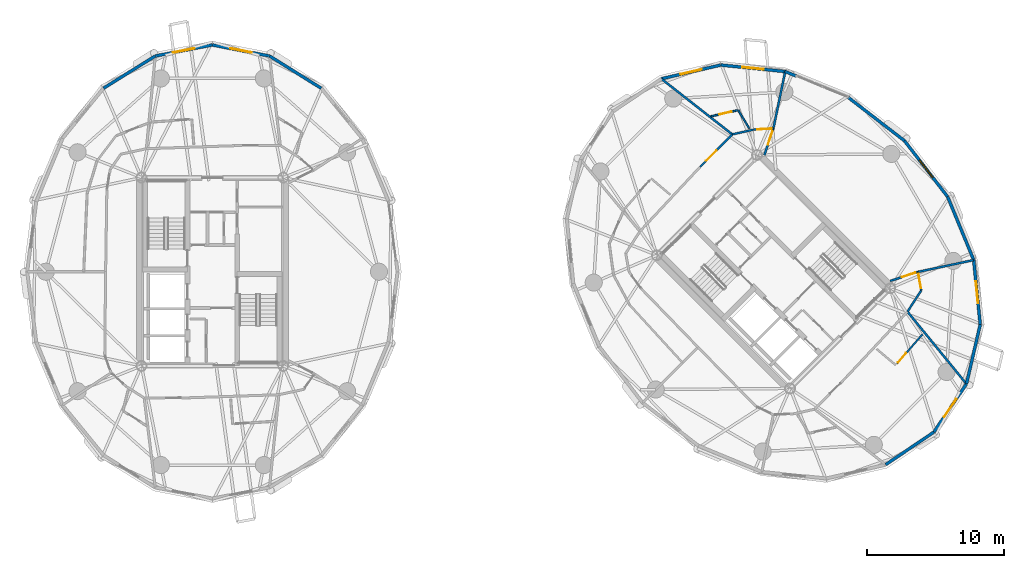
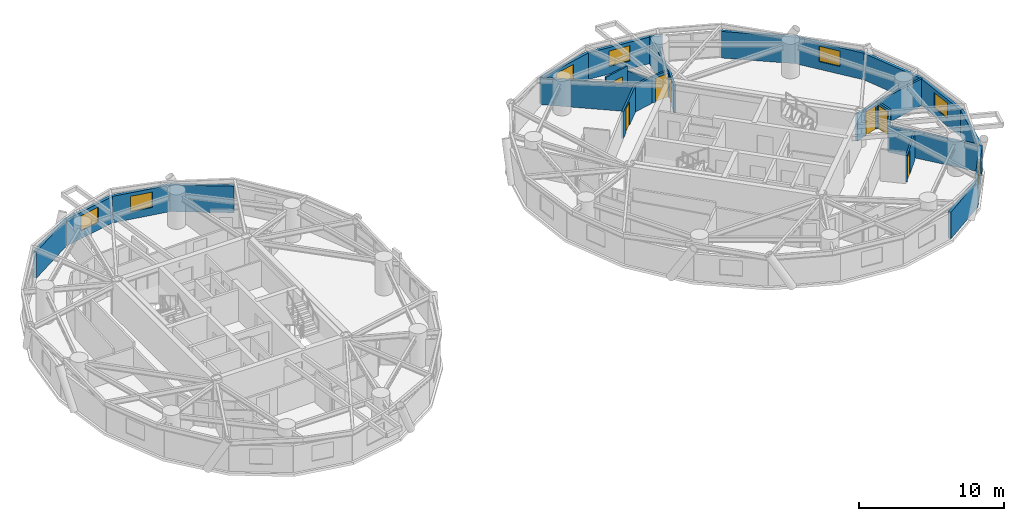
# One storey, part 14 of 17: 28 walls, 7 doors, 7 windows, 14 openings.
"""IFC4 building model written with IfcOpenShell, lengths in metres."""

from ifc_helpers import new_model, si_unit, direction, frame, frame_2d, origin, place, context, subcontext, project, spatial, rectangle, extrude, source, transform, mapped, material, layer, layer_set, type_object, element, fill, save


model = new_model("IFC4")

# Units and contexts
model_context = context("Model", 3, precision=1e-05, world=origin(), true_north=direction((0.0, 1.0)))
body_context = subcontext(model_context, "Body", "Model", "MODEL_VIEW")
ifc_project = project(units=[si_unit("LENGTHUNIT", "METRE"), si_unit("AREAUNIT", "SQUARE_METRE"), si_unit("VOLUMEUNIT", "CUBIC_METRE"), si_unit("PLANEANGLEUNIT", "RADIAN"), si_unit("MASSUNIT", "GRAM", prefix="KILO")], contexts=[model_context])

# Site, building, storey
site_placement = place(None, origin())
site = spatial("IfcSite", under=ifc_project, at=site_placement, CompositionType="ELEMENT")
building_placement = place(site_placement, origin())
building = spatial("IfcBuilding", under=site, at=building_placement, Name="Cununo Teusaquillo Station Towers", CompositionType="ELEMENT")
storey_placement = place(building_placement, frame((0.0, 0.0, 183.610107421875)))
storey = spatial("IfcBuildingStorey", under=building, at=storey_placement, Name="L58", CompositionType="ELEMENT", Elevation=183.610107421875)

# Wall
ifc_material_1 = material(Name="Precast concrete C40/50", Category="concrete")
ifc_layer_1 = layer(ifc_material_1, 0.219970703125)
ifc_layer_set_1 = layer_set([ifc_layer_1], Name="Precast concrete C40/50")
wall_type_1 = type_object("IfcWallType", Name="WL-EXT-220", PredefinedType="SOLIDWALL", material=ifc_layer_set_1)
wall_1_placement = place(storey_placement, frame((20.681396484375, 40.259033203125, 0.0), z_axis=(0.0, 0.0, 1.0), x_axis=(0.848399108042, -0.529357113368, 0.0)))
element("IfcWall", 1, at=wall_1_placement, inside=storey, type_object=wall_type_1, Name="L58 Tower A Exterior Facade Wall C03", PredefinedType="SOLIDWALL", context=body_context, shape_type="SweptSolid", body=[
    extrude(rectangle(XDim=4.446044921875, YDim=0.219970703125, at=frame_2d((2.22314453125, 0.0))), origin(), (0.0, 0.0, 1.0), 2.244873046875),
])

# Wall, opening, window
wall_2_placement = place(storey_placement, frame((16.5, 41.070068359375, 0.0), z_axis=(0.0, 0.0, 1.0), x_axis=(0.981703883443, -0.190413983815, 0.0)))
wall_2 = element("IfcWall", 2, at=wall_2_placement, inside=storey, type_object=wall_type_1, Name="L58 Tower A Exterior Facade Wall C04", PredefinedType="SOLIDWALL", context=body_context, shape_type="SweptSolid", body=[
    extrude(rectangle(XDim=4.25927734375, YDim=0.219970703125, at=frame_2d((2.129638671875, 0.0))), origin(), (0.0, 0.0, 1.0), 2.244873046875),
])
shared_shape_1 = source(origin(), body_context, "Body", "SweptSolid", [
    extrude(rectangle(XDim=1.60009765625, YDim=1.300048828125, at=frame_2d((0.800048828125, 0.64990234375))), frame((0.0, 0.119873046875, 0.0), z_axis=(0.0, -1.0, 0.0), x_axis=(1.0, 0.0, 0.0)), (0.0, 0.0, 1.0), 0.239990234375),
])
opening_1_placement = place(wall_2_placement, frame((1.330078125, 0.0, 0.64990234375)))
opening_1 = element("IfcOpeningElement", 3, at=opening_1_placement, cuts=wall_2, Name="Opening WN-03", PredefinedType="OPENING", context=body_context, shape_type="MappedRepresentation", body=[
    mapped(shared_shape_1, transform((0.0, 0.0, 0.0), x_axis=(1.0, 0.0, 0.0), y_axis=(0.0, 1.0, 0.0), z_axis=(0.0, 0.0, 1.0), scale=1.0)),
])
ifc_material_2 = material(Name="Ceramic-fritted dark low-E double glazing", Category="glass")
window_type = type_object("IfcWindowType", Name="WIN-CORN-1600", PartitioningType="SINGLE_PANEL", PredefinedType="WINDOW", material=ifc_material_2)
shared_shape_2 = source(origin(), body_context, "Body", "SweptSolid", [
    extrude(rectangle(XDim=1.60009765625, YDim=1.300048828125, at=frame_2d((0.800048828125, 0.64990234375))), frame((0.0, 0.030029296875, 0.0), z_axis=(0.0, -1.0, 0.0), x_axis=(1.0, 0.0, 0.0)), (0.0, 0.0, 1.0), 0.06005859375),
])
window_1_placement = place(opening_1_placement, origin())
window_1 = element("IfcWindow", 4, at=window_1_placement, inside=storey, type_object=window_type, Name="L58 Tower A Facade Window C04", OverallHeight=1.300048828125, OverallWidth=1.60009765625, PartitioningType="SINGLE_PANEL", PredefinedType="WINDOW", context=body_context, shape_type="MappedRepresentation", body=[
    mapped(shared_shape_2, transform((0.0, 0.0, 0.0), x_axis=(1.0, 0.0, 0.0), y_axis=(0.0, 1.0, 0.0), z_axis=(0.0, 0.0, 1.0), scale=1.0)),
])
fill(opening_1, window_1)

wall_3_placement = place(storey_placement, frame((12.318603515625, 40.259033203125, 0.0), z_axis=(0.0, 0.0, 1.0), x_axis=(0.981703883443, 0.190413983815, 0.0)))
wall_3 = element("IfcWall", 5, at=wall_3_placement, inside=storey, type_object=wall_type_1, Name="L58 Tower A Exterior Facade Wall C05", PredefinedType="SOLIDWALL", context=body_context, shape_type="SweptSolid", body=[
    extrude(rectangle(XDim=4.25927734375, YDim=0.219970703125, at=frame_2d((2.129638671875, 0.0))), origin(), (0.0, 0.0, 1.0), 2.244873046875),
])
opening_2_placement = place(wall_3_placement, frame((1.330078125, 0.0, 0.64990234375)))
opening_2 = element("IfcOpeningElement", 6, at=opening_2_placement, cuts=wall_3, Name="Opening WN-03", PredefinedType="OPENING", context=body_context, shape_type="MappedRepresentation", body=[
    mapped(shared_shape_1, transform((0.0, 0.0, 0.0), x_axis=(1.0, 0.0, 0.0), y_axis=(0.0, 1.0, 0.0), z_axis=(0.0, 0.0, 1.0), scale=1.0)),
])
window_2_placement = place(opening_2_placement, origin())
window_2 = element("IfcWindow", 7, at=window_2_placement, inside=storey, type_object=window_type, Name="L58 Tower A Facade Window C05", OverallHeight=1.300048828125, OverallWidth=1.60009765625, PartitioningType="SINGLE_PANEL", PredefinedType="WINDOW", context=body_context, shape_type="MappedRepresentation", body=[
    mapped(shared_shape_2, transform((0.0, 0.0, 0.0), x_axis=(1.0, 0.0, 0.0), y_axis=(0.0, 1.0, 0.0), z_axis=(0.0, 0.0, 1.0), scale=1.0)),
])
fill(opening_2, window_2)

# Walls
wall_4_placement = place(storey_placement, frame((8.546630859375, 37.905517578125, 0.0), z_axis=(0.0, 0.0, 1.0), x_axis=(0.848399108042, 0.529357113368, 0.0)))
element("IfcWall", 8, at=wall_4_placement, inside=storey, type_object=wall_type_1, Name="L58 Tower A Exterior Facade Wall C06", PredefinedType="SOLIDWALL", context=body_context, shape_type="SweptSolid", body=[
    extrude(rectangle(XDim=4.446044921875, YDim=0.219970703125, at=frame_2d((2.22314453125, 0.0))), origin(), (0.0, 0.0, 1.0), 2.244873046875),
])
wall_5_placement = place(storey_placement, frame((62.97900390625, 37.22021484375, 0.0), z_axis=(0.0, 0.0, 1.0), x_axis=(0.791962560189, -0.610569654715, 0.0)))
element("IfcWall", 9, at=wall_5_placement, inside=storey, type_object=wall_type_1, Name="L58 Tower B Exterior Facade Wall C00", PredefinedType="SOLIDWALL", context=body_context, shape_type="SweptSolid", body=[
    extrude(rectangle(XDim=5.162841796875, YDim=0.219970703125, at=frame_2d((2.58154296875, 0.0))), origin(), (0.0, 0.0, 1.0), 2.244873046875),
])
wall_6_placement = place(storey_placement, frame((58.353515625, 39.12744140625, 0.0), z_axis=(0.0, 0.0, 1.0), x_axis=(0.924556017656, -0.381046152345, 0.0)))
element("IfcWall", 10, at=wall_6_placement, inside=storey, type_object=wall_type_1, Name="L58 Tower B Column Pier Cladding Wall C01-PA", PredefinedType="SOLIDWALL", context=body_context, shape_type="SweptSolid", body=[
    extrude(rectangle(XDim=0.8701171875, YDim=0.219970703125, at=frame_2d((0.43505859375, 0.0))), origin(), (0.0, 0.0, 1.0), 2.244873046875),
])

# Wall, opening, window
wall_7_placement = place(storey_placement, frame((53.644775390625, 39.602783203125, 0.0), z_axis=(0.0, 0.0, 1.0), x_axis=(0.994943283129, -0.100438356004, 0.0)))
wall_7 = element("IfcWall", 11, at=wall_7_placement, inside=storey, type_object=wall_type_1, Name="L58 Tower B Exterior Facade Wall C02", PredefinedType="SOLIDWALL", context=body_context, shape_type="SweptSolid", body=[
    extrude(rectangle(XDim=4.732666015625, YDim=0.219970703125, at=frame_2d((2.3662109375, 0.0))), origin(), (0.0, 0.0, 1.0), 2.244873046875),
])
opening_3_placement = place(wall_7_placement, frame((1.56591796875, 0.0, 0.64990234375)))
opening_3 = element("IfcOpeningElement", 12, at=opening_3_placement, cuts=wall_7, Name="Opening WN-03", PredefinedType="OPENING", context=body_context, shape_type="MappedRepresentation", body=[
    mapped(shared_shape_1, transform((0.0, 0.0, 0.0), x_axis=(1.0, 0.0, 0.0), y_axis=(0.0, 1.0, 0.0), z_axis=(0.0, 0.0, 1.0), scale=1.0)),
])
window_3_placement = place(opening_3_placement, origin())
window_3 = element("IfcWindow", 13, at=window_3_placement, inside=storey, type_object=window_type, Name="L58 Tower B Facade Window C02", OverallHeight=1.300048828125, OverallWidth=1.60009765625, PartitioningType="SINGLE_PANEL", PredefinedType="WINDOW", context=body_context, shape_type="MappedRepresentation", body=[
    mapped(shared_shape_2, transform((0.0, 0.0, 0.0), x_axis=(1.0, 0.0, 0.0), y_axis=(0.0, 1.0, 0.0), z_axis=(0.0, 0.0, 1.0), scale=1.0)),
])
fill(opening_3, window_3)

wall_8_placement = place(storey_placement, frame((49.313232421875, 38.599853515625, 0.0), z_axis=(0.0, 0.0, 1.0), x_axis=(0.97422620202, 0.22557328587, 0.0)))
wall_8 = element("IfcWall", 14, at=wall_8_placement, inside=storey, type_object=wall_type_1, Name="L58 Tower B Exterior Facade Wall C03", PredefinedType="SOLIDWALL", context=body_context, shape_type="SweptSolid", body=[
    extrude(rectangle(XDim=4.446044921875, YDim=0.219970703125, at=frame_2d((2.22314453125, 0.0))), origin(), (0.0, 0.0, 1.0), 2.244873046875),
])
opening_4_placement = place(wall_8_placement, frame((1.423095703125, 0.0, 0.64990234375)))
opening_4 = element("IfcOpeningElement", 15, at=opening_4_placement, cuts=wall_8, Name="Opening WN-03", PredefinedType="OPENING", context=body_context, shape_type="MappedRepresentation", body=[
    mapped(shared_shape_1, transform((0.0, 0.0, 0.0), x_axis=(1.0, 0.0, 0.0), y_axis=(0.0, 1.0, 0.0), z_axis=(0.0, 0.0, 1.0), scale=1.0)),
])
window_4_placement = place(opening_4_placement, origin())
window_4 = element("IfcWindow", 16, at=window_4_placement, inside=storey, type_object=window_type, Name="L58 Tower B Facade Window C03", OverallHeight=1.300048828125, OverallWidth=1.60009765625, PartitioningType="SINGLE_PANEL", PredefinedType="WINDOW", context=body_context, shape_type="MappedRepresentation", body=[
    mapped(shared_shape_2, transform((0.0, 0.0, 0.0), x_axis=(1.0, 0.0, 0.0), y_axis=(0.0, 1.0, 0.0), z_axis=(0.0, 0.0, 1.0), scale=1.0)),
])
fill(opening_4, window_4)

# Wall
wall_9_placement = place(storey_placement, frame((69.216796875, 12.783203125, 0.0), z_axis=(0.0, 0.0, 1.0), x_axis=(-0.828817439852, -0.55951912514, 0.0)))
element("IfcWall", 17, at=wall_9_placement, inside=storey, type_object=wall_type_1, Name="L58 Tower B Exterior Facade Wall C14", PredefinedType="SOLIDWALL", context=body_context, shape_type="SweptSolid", body=[
    extrude(rectangle(XDim=4.259033203125, YDim=0.219970703125, at=frame_2d((2.12939453125, 0.0))), origin(), (0.0, 0.0, 1.0), 2.244873046875),
])

# Wall, opening, window
wall_10_placement = place(storey_placement, frame((71.599853515625, 16.313232421875, 0.0), z_axis=(0.0, 0.0, 1.0), x_axis=(-0.55951912514, -0.828817439852, 0.0)))
wall_10 = element("IfcWall", 18, at=wall_10_placement, inside=storey, type_object=wall_type_1, Name="L58 Tower B Exterior Facade Wall C15", PredefinedType="SOLIDWALL", context=body_context, shape_type="SweptSolid", body=[
    extrude(rectangle(XDim=4.259033203125, YDim=0.219970703125, at=frame_2d((2.12939453125, 0.0))), origin(), (0.0, 0.0, 1.0), 2.244873046875),
])
opening_5_placement = place(wall_10_placement, frame((1.330078125, 0.0, 0.64990234375)))
opening_5 = element("IfcOpeningElement", 19, at=opening_5_placement, cuts=wall_10, Name="Opening WN-03", PredefinedType="OPENING", context=body_context, shape_type="MappedRepresentation", body=[
    mapped(shared_shape_1, transform((0.0, 0.0, 0.0), x_axis=(1.0, 0.0, 0.0), y_axis=(0.0, 1.0, 0.0), z_axis=(0.0, 0.0, 1.0), scale=1.0)),
])
window_5_placement = place(opening_5_placement, origin())
window_5 = element("IfcWindow", 20, at=window_5_placement, inside=storey, type_object=window_type, Name="L58 Tower B Facade Window C15", OverallHeight=1.300048828125, OverallWidth=1.60009765625, PartitioningType="SINGLE_PANEL", PredefinedType="WINDOW", context=body_context, shape_type="MappedRepresentation", body=[
    mapped(shared_shape_2, transform((0.0, 0.0, 0.0), x_axis=(1.0, 0.0, 0.0), y_axis=(0.0, 1.0, 0.0), z_axis=(0.0, 0.0, 1.0), scale=1.0)),
])
fill(opening_5, window_5)

# Wall
wall_11_placement = place(storey_placement, frame((72.602783203125, 20.644775390625, 0.0), z_axis=(0.0, 0.0, 1.0), x_axis=(-0.22557328587, -0.97422620202, 0.0)))
element("IfcWall", 21, at=wall_11_placement, inside=storey, type_object=wall_type_1, Name="L58 Tower B Exterior Facade Wall C16", PredefinedType="SOLIDWALL", context=body_context, shape_type="SweptSolid", body=[
    extrude(rectangle(XDim=4.446044921875, YDim=0.219970703125, at=frame_2d((2.22314453125, 0.0))), origin(), (0.0, 0.0, 1.0), 2.244873046875),
])

# Wall, opening, window
wall_12_placement = place(storey_placement, frame((72.12744140625, 25.353515625, 0.0), z_axis=(0.0, 0.0, 1.0), x_axis=(0.100438356004, -0.994943283129, 0.0)))
wall_12 = element("IfcWall", 22, at=wall_12_placement, inside=storey, type_object=wall_type_1, Name="L58 Tower B Exterior Facade Wall C17", PredefinedType="SOLIDWALL", context=body_context, shape_type="SweptSolid", body=[
    extrude(rectangle(XDim=4.732666015625, YDim=0.219970703125, at=frame_2d((2.3662109375, 0.0))), origin(), (0.0, 0.0, 1.0), 2.244873046875),
])
opening_6_placement = place(wall_12_placement, frame((1.56591796875, 0.0, 0.64990234375)))
opening_6 = element("IfcOpeningElement", 23, at=opening_6_placement, cuts=wall_12, Name="Opening WN-03", PredefinedType="OPENING", context=body_context, shape_type="MappedRepresentation", body=[
    mapped(shared_shape_1, transform((0.0, 0.0, 0.0), x_axis=(1.0, 0.0, 0.0), y_axis=(0.0, 1.0, 0.0), z_axis=(0.0, 0.0, 1.0), scale=1.0)),
])
window_6_placement = place(opening_6_placement, origin())
window_6 = element("IfcWindow", 24, at=window_6_placement, inside=storey, type_object=window_type, Name="L58 Tower B Facade Window C17", OverallHeight=1.300048828125, OverallWidth=1.60009765625, PartitioningType="SINGLE_PANEL", PredefinedType="WINDOW", context=body_context, shape_type="MappedRepresentation", body=[
    mapped(shared_shape_2, transform((0.0, 0.0, 0.0), x_axis=(1.0, 0.0, 0.0), y_axis=(0.0, 1.0, 0.0), z_axis=(0.0, 0.0, 1.0), scale=1.0)),
])
fill(opening_6, window_6)

# Wall
wall_13_placement = place(storey_placement, frame((70.22021484375, 29.97900390625, 0.0), z_axis=(0.0, 0.0, 1.0), x_axis=(0.381196434348, -0.924494066201, 0.0)))
element("IfcWall", 25, at=wall_13_placement, inside=storey, type_object=wall_type_1, Name="L58 Tower B Exterior Facade Wall C18", PredefinedType="SOLIDWALL", context=body_context, shape_type="SweptSolid", body=[
    extrude(rectangle(XDim=5.003173828125, YDim=0.219970703125, at=frame_2d((2.50146484375, 0.0))), origin(), (0.0, 0.0, 1.0), 2.244873046875),
])

# Wall, opening, window
wall_14_placement = place(storey_placement, frame((67.06787109375, 34.06787109375, 0.0), z_axis=(0.0, 0.0, 1.0), x_axis=(0.610569654715, -0.791962560189, 0.0)))
wall_14 = element("IfcWall", 26, at=wall_14_placement, inside=storey, type_object=wall_type_1, Name="L58 Tower B Exterior Facade Wall C19", PredefinedType="SOLIDWALL", context=body_context, shape_type="SweptSolid", body=[
    extrude(rectangle(XDim=5.162841796875, YDim=0.219970703125, at=frame_2d((2.58154296875, 0.0))), origin(), (0.0, 0.0, 1.0), 2.244873046875),
])
opening_7_placement = place(wall_14_placement, frame((1.781982421875, 0.0, 0.64990234375)))
opening_7 = element("IfcOpeningElement", 27, at=opening_7_placement, cuts=wall_14, Name="Opening WN-03", PredefinedType="OPENING", context=body_context, shape_type="MappedRepresentation", body=[
    mapped(shared_shape_1, transform((0.0, 0.0, 0.0), x_axis=(1.0, 0.0, 0.0), y_axis=(0.0, 1.0, 0.0), z_axis=(0.0, 0.0, 1.0), scale=1.0)),
])
window_7_placement = place(opening_7_placement, origin())
window_7 = element("IfcWindow", 28, at=window_7_placement, inside=storey, type_object=window_type, Name="L58 Tower B Facade Window C19", OverallHeight=1.300048828125, OverallWidth=1.60009765625, PartitioningType="SINGLE_PANEL", PredefinedType="WINDOW", context=body_context, shape_type="MappedRepresentation", body=[
    mapped(shared_shape_2, transform((0.0, 0.0, 0.0), x_axis=(1.0, 0.0, 0.0), y_axis=(0.0, 1.0, 0.0), z_axis=(0.0, 0.0, 1.0), scale=1.0)),
])
fill(opening_7, window_7)

# Wall
ifc_material_3 = material(Name="Fire-rated gypsum plasterboard partition assembly", Category="gypsum")
ifc_layer_2 = layer(ifc_material_3, 0.125)
ifc_layer_set_2 = layer_set([ifc_layer_2], Name="Fire-rated gypsum plasterboard partition assembly")
wall_type_2 = type_object("IfcWallType", Name="WL-PART-125", PredefinedType="PARTITIONING", material=ifc_layer_set_2)
wall_15_placement = place(storey_placement, frame((55.726806640625, 34.969970703125, 0.0), z_axis=(0.0, 0.0, 1.0), x_axis=(-0.514518774568, 0.857479113808, 0.0)))
element("IfcWall", 29, at=wall_15_placement, inside=storey, type_object=wall_type_2, Name="L58 Tower B S01 En-suite Side Wall", PredefinedType="PARTITIONING", context=body_context, shape_type="SweptSolid", body=[
    extrude(rectangle(XDim=1.5595703125, YDim=0.125, at=frame_2d((0.77978515625, 0.0))), origin(), (0.0, 0.0, 1.0), 2.244873046875),
])

# Wall, opening, door
wall_16_placement = place(storey_placement, frame((54.863525390625, 36.29345703125, 0.0), z_axis=(0.0, 0.0, 1.0), x_axis=(-0.974875983782, -0.222748324896, 0.0)))
wall_16 = element("IfcWall", 30, at=wall_16_placement, inside=storey, type_object=wall_type_2, Name="L58 Tower B S01 En-suite Back Wall", PredefinedType="PARTITIONING", context=body_context, shape_type="SweptSolid", body=[
    extrude(rectangle(XDim=1.99365234375, YDim=0.125, at=frame_2d((0.996826171875, 0.0))), origin(), (0.0, 0.0, 1.0), 2.6748046875),
])
shared_shape_3 = source(origin(), body_context, "Body", "SweptSolid", [
    extrude(rectangle(XDim=0.89990234375, YDim=2.0048828125, at=frame_2d((0.449951171875, 1.00244140625))), frame((0.0, 0.072509765625, 0.0), z_axis=(0.0, -1.0, 0.0), x_axis=(1.0, 0.0, 0.0)), (0.0, 0.0, 1.0), 0.14501953125),
])
opening_8_placement = place(wall_16_placement, frame((0.440185546875, 0.0, 0.0)))
opening_8 = element("IfcOpeningElement", 31, at=opening_8_placement, cuts=wall_16, Name="Opening D-IN1", PredefinedType="OPENING", context=body_context, shape_type="MappedRepresentation", body=[
    mapped(shared_shape_3, transform((0.0, 0.0, 0.0), x_axis=(1.0, 0.0, 0.0), y_axis=(0.0, 1.0, 0.0), z_axis=(0.0, 0.0, 1.0), scale=1.0)),
])
ifc_material_4 = material(Name="Acoustic solid-core hardwood leaf assembly", Category="wood")
door_type_1 = type_object("IfcDoorType", Name="DR-INT-900", OperationType="NOTDEFINED", PredefinedType="DOOR", material=ifc_material_4)
shared_shape_4 = source(origin(), body_context, "Body", "SweptSolid", [
    extrude(rectangle(XDim=0.89990234375, YDim=2.0048828125, at=frame_2d((0.449951171875, 1.00244140625))), frame((0.0, 0.02490234375, 0.0), z_axis=(0.0, -1.0, 0.0), x_axis=(1.0, 0.0, 0.0)), (0.0, 0.0, 1.0), 0.050048828125),
])
door_1_placement = place(opening_8_placement, origin())
door_1 = element("IfcDoor", 32, at=door_1_placement, inside=storey, type_object=door_type_1, Name="L58 Tower B S01 En-suite Bathroom Door", OperationType="SINGLE_SWING_LEFT", OverallHeight=2.0048828125, OverallWidth=0.89990234375, PredefinedType="DOOR", context=body_context, shape_type="MappedRepresentation", body=[
    mapped(shared_shape_4, transform((0.0, 0.0, 0.0), x_axis=(1.0, 0.0, 0.0), y_axis=(0.0, 1.0, 0.0), z_axis=(0.0, 0.0, 1.0), scale=1.0)),
])
fill(opening_8, door_1)

wall_17_placement = place(storey_placement, frame((66.520263671875, 17.794677734375, 0.0), z_axis=(0.0, 0.0, 1.0), x_axis=(0.658266024679, 0.752785388244, 0.0)))
wall_17 = element("IfcWall", 33, at=wall_17_placement, inside=storey, type_object=wall_type_2, Name="L58 Tower B S06 En-suite Back Wall", PredefinedType="PARTITIONING", context=body_context, shape_type="SweptSolid", body=[
    extrude(rectangle(XDim=2.82568359375, YDim=0.125, at=frame_2d((1.412841796875, 0.0))), origin(), (0.0, 0.0, 1.0), 2.244873046875),
])
opening_9_placement = place(wall_17_placement, frame((0.1201171875, 0.0, 0.0)))
opening_9 = element("IfcOpeningElement", 34, at=opening_9_placement, cuts=wall_17, Name="Opening D-IN1", PredefinedType="OPENING", context=body_context, shape_type="MappedRepresentation", body=[
    mapped(shared_shape_3, transform((0.0, 0.0, 0.0), x_axis=(1.0, 0.0, 0.0), y_axis=(0.0, 1.0, 0.0), z_axis=(0.0, 0.0, 1.0), scale=1.0)),
])
door_2_placement = place(opening_9_placement, origin())
door_2 = element("IfcDoor", 35, at=door_2_placement, inside=storey, type_object=door_type_1, Name="L58 Tower B S06 En-suite Bathroom Door", OperationType="SINGLE_SWING_RIGHT", OverallHeight=2.0048828125, OverallWidth=0.89990234375, PredefinedType="DOOR", context=body_context, shape_type="MappedRepresentation", body=[
    mapped(shared_shape_4, transform((0.0, 0.0, 0.0), x_axis=(1.0, 0.0, 0.0), y_axis=(0.0, 1.0, 0.0), z_axis=(0.0, 0.0, 1.0), scale=1.0)),
])
fill(opening_9, door_2)

ifc_material_5 = material(Name="Fire-rated gypsum plasterboard partition assembly", Category="gypsum")
ifc_layer_3 = layer(ifc_material_5, 0.14990234375)
ifc_layer_set_3 = layer_set([ifc_layer_3], Name="Fire-rated gypsum plasterboard partition assembly")
wall_type_3 = type_object("IfcWallType", Name="WL-PART-150", PredefinedType="PARTITIONING", material=ifc_layer_set_3)
wall_18_placement = place(storey_placement, frame((57.486328125, 34.96044921875, 0.0), z_axis=(0.0, 0.0, 1.0), x_axis=(-0.998483871836, -0.055045051404, 0.0)))
wall_18 = element("IfcWall", 36, at=wall_18_placement, inside=storey, type_object=wall_type_3, Name="L58 Tower B Corridor Ring Wall C02", PredefinedType="PARTITIONING", context=body_context, shape_type="SweptSolid", body=[
    extrude(rectangle(XDim=1.463623046875, YDim=0.14990234375, at=frame_2d((0.73193359375, 0.0))), origin(), (0.0, 0.0, 1.0), 2.244873046875),
])
shared_shape_5 = source(origin(), body_context, "Body", "SweptSolid", [
    extrude(rectangle(XDim=1.050048828125, YDim=2.014892578125, at=frame_2d((0.52490234375, 1.00732421875))), frame((0.0, 0.0849609375, 0.0), z_axis=(0.0, -1.0, 0.0), x_axis=(1.0, 0.0, 0.0)), (0.0, 0.0, 1.0), 0.169921875),
])
opening_10_placement = place(wall_18_placement, frame((0.1201171875, 0.0, 0.0)))
opening_10 = element("IfcOpeningElement", 37, at=opening_10_placement, cuts=wall_18, Name="Opening D-SU1", PredefinedType="OPENING", context=body_context, shape_type="MappedRepresentation", body=[
    mapped(shared_shape_5, transform((0.0, 0.0, 0.0), x_axis=(1.0, 0.0, 0.0), y_axis=(0.0, 1.0, 0.0), z_axis=(0.0, 0.0, 1.0), scale=1.0)),
])
ifc_material_6 = material(Name="Acoustic solid-core hardwood leaf assembly", Category="wood")
door_type_2 = type_object("IfcDoorType", Name="DR-SUITE-1050", OperationType="NOTDEFINED", PredefinedType="DOOR", material=ifc_material_6)
shared_shape_6 = source(origin(), body_context, "Body", "SweptSolid", [
    extrude(rectangle(XDim=1.050048828125, YDim=2.014892578125, at=frame_2d((0.52490234375, 1.00732421875))), frame((0.0, 0.02490234375, 0.0), z_axis=(0.0, -1.0, 0.0), x_axis=(1.0, 0.0, 0.0)), (0.0, 0.0, 1.0), 0.050048828125),
])
door_3_placement = place(opening_10_placement, origin())
door_3 = element("IfcDoor", 38, at=door_3_placement, inside=storey, type_object=door_type_2, Name="L58 Tower B Summit Club Hotel Suite Entrance Door", OperationType="SINGLE_SWING_RIGHT", OverallHeight=2.014892578125, OverallWidth=1.050048828125, PredefinedType="DOOR", context=body_context, shape_type="MappedRepresentation", body=[
    mapped(shared_shape_6, transform((0.0, 0.0, 0.0), x_axis=(1.0, 0.0, 0.0), y_axis=(0.0, 1.0, 0.0), z_axis=(0.0, 0.0, 1.0), scale=1.0)),
])
fill(opening_10, door_3)

# Wall
wall_19_placement = place(storey_placement, frame((56.02490234375, 34.8798828125, 0.0), z_axis=(0.0, 0.0, 1.0), x_axis=(-0.975729093394, -0.218981132301, 0.0)))
element("IfcWall", 39, at=wall_19_placement, inside=storey, type_object=wall_type_3, Name="L58 Tower B Corridor Ring Wall C03", PredefinedType="PARTITIONING", context=body_context, shape_type="SweptSolid", body=[
    extrude(rectangle(XDim=1.575439453125, YDim=0.14990234375, at=frame_2d((0.78759765625, 0.0))), origin(), (0.0, 0.0, 1.0), 2.244873046875),
])

# Wall, opening, door
wall_20_placement = place(storey_placement, frame((54.48779296875, 34.534912109375, 0.0), z_axis=(0.0, 0.0, 1.0), x_axis=(-0.703666289339, -0.710530613871, 0.0)))
wall_20 = element("IfcWall", 40, at=wall_20_placement, inside=storey, type_object=wall_type_3, Name="L58 Tower B Corridor Ring Wall C04", PredefinedType="PARTITIONING", context=body_context, shape_type="SweptSolid", body=[
    extrude(rectangle(XDim=3.34326171875, YDim=0.14990234375, at=frame_2d((1.671630859375, 0.0))), origin(), (0.0, 0.0, 1.0), 2.244873046875),
])
opening_11_placement = place(wall_20_placement, frame((1.659912109375, 0.0, 0.0)))
opening_11 = element("IfcOpeningElement", 41, at=opening_11_placement, cuts=wall_20, Name="Opening D-SU1", PredefinedType="OPENING", context=body_context, shape_type="MappedRepresentation", body=[
    mapped(shared_shape_5, transform((0.0, 0.0, 0.0), x_axis=(1.0, 0.0, 0.0), y_axis=(0.0, 1.0, 0.0), z_axis=(0.0, 0.0, 1.0), scale=1.0)),
])
door_4_placement = place(opening_11_placement, origin())
door_4 = element("IfcDoor", 42, at=door_4_placement, inside=storey, type_object=door_type_2, Name="L58 Tower B Savanna View Hotel Suite Entrance Door", OperationType="SINGLE_SWING_RIGHT", OverallHeight=2.014892578125, OverallWidth=1.050048828125, PredefinedType="DOOR", context=body_context, shape_type="MappedRepresentation", body=[
    mapped(shared_shape_6, transform((0.0, 0.0, 0.0), x_axis=(1.0, 0.0, 0.0), y_axis=(0.0, 1.0, 0.0), z_axis=(0.0, 0.0, 1.0), scale=1.0)),
])
fill(opening_11, door_4)

# Wall
wall_21_placement = place(storey_placement, frame((67.28662109375, 21.582275390625, 0.0), z_axis=(0.0, 0.0, 1.0), x_axis=(0.543202443884, 0.839601753785, 0.0)))
element("IfcWall", 43, at=wall_21_placement, inside=storey, type_object=wall_type_3, Name="L58 Tower B Corridor Ring Wall C16", PredefinedType="PARTITIONING", context=body_context, shape_type="SweptSolid", body=[
    extrude(rectangle(XDim=1.86572265625, YDim=0.14990234375, at=frame_2d((0.932861328125, 0.0))), origin(), (0.0, 0.0, 1.0), 2.244873046875),
])

# Wall, opening, door
wall_22_placement = place(storey_placement, frame((68.300048828125, 23.148681640625, 0.0), z_axis=(0.0, 0.0, 1.0), x_axis=(-0.176423554694, 0.984314344785, 0.0)))
wall_22 = element("IfcWall", 44, at=wall_22_placement, inside=storey, type_object=wall_type_3, Name="L58 Tower B Corridor Ring Wall C17", PredefinedType="PARTITIONING", context=body_context, shape_type="SweptSolid", body=[
    extrude(rectangle(XDim=1.361572265625, YDim=0.14990234375, at=frame_2d((0.6806640625, 0.0))), origin(), (0.0, 0.0, 1.0), 2.244873046875),
])
opening_12_placement = place(wall_22_placement, frame((0.156005859375, 0.0, 0.0)))
opening_12 = element("IfcOpeningElement", 45, at=opening_12_placement, cuts=wall_22, Name="Opening D-SU1", PredefinedType="OPENING", context=body_context, shape_type="MappedRepresentation", body=[
    mapped(shared_shape_5, transform((0.0, 0.0, 0.0), x_axis=(1.0, 0.0, 0.0), y_axis=(0.0, 1.0, 0.0), z_axis=(0.0, 0.0, 1.0), scale=1.0)),
])
door_5_placement = place(opening_12_placement, origin())
door_5 = element("IfcDoor", 46, at=door_5_placement, inside=storey, type_object=door_type_2, Name="L58 Tower B Hotel Housekeeping & Linen Pantry Entrance Door", OperationType="SINGLE_SWING_LEFT", OverallHeight=2.014892578125, OverallWidth=1.050048828125, PredefinedType="DOOR", context=body_context, shape_type="MappedRepresentation", body=[
    mapped(shared_shape_6, transform((0.0, 0.0, 0.0), x_axis=(1.0, 0.0, 0.0), y_axis=(0.0, 1.0, 0.0), z_axis=(0.0, 0.0, 1.0), scale=1.0)),
])
fill(opening_12, door_5)

# Walls
ifc_material_7 = material(Name="Fire-rated gypsum plasterboard partition assembly", Category="gypsum")
ifc_layer_4 = layer(ifc_material_7, 0.159912109375)
ifc_layer_set_4 = layer_set([ifc_layer_4], Name="Fire-rated gypsum plasterboard partition assembly")
wall_type_4 = type_object("IfcWallType", Name="WL-PART-160", PredefinedType="PARTITIONING", material=ifc_layer_set_4)
wall_23_placement = place(storey_placement, frame((57.486328125, 34.96044921875, 0.0), z_axis=(0.0, 0.0, 1.0), x_axis=(0.204011788318, 0.978968431681, 0.0)))
element("IfcWall", 47, at=wall_23_placement, inside=storey, type_object=wall_type_4, Name="L58 Tower B Radial Suite Partition R01", PredefinedType="PARTITIONING", context=body_context, shape_type="SweptSolid", body=[
    extrude(rectangle(XDim=4.236328125, YDim=0.159912109375, at=frame_2d((2.1181640625, 0.0))), origin(), (0.0, 0.0, 1.0), 2.244873046875),
])
wall_24_placement = place(storey_placement, frame((54.48779296875, 34.534912109375, 0.0), z_axis=(0.0, 0.0, 1.0), x_axis=(-0.787155500995, 0.616754584298, 0.0)))
element("IfcWall", 48, at=wall_24_placement, inside=storey, type_object=wall_type_4, Name="L58 Tower B Radial Suite Partition R02", PredefinedType="PARTITIONING", context=body_context, shape_type="SweptSolid", body=[
    extrude(rectangle(XDim=6.56201171875, YDim=0.159912109375, at=frame_2d((3.281005859375, 0.0))), origin(), (0.0, 0.0, 1.0), 2.244873046875),
])
wall_25_placement = place(storey_placement, frame((67.28662109375, 21.582275390625, 0.0), z_axis=(0.0, 0.0, 1.0), x_axis=(0.632528819581, -0.774536824431, 0.0)))
element("IfcWall", 49, at=wall_25_placement, inside=storey, type_object=wall_type_4, Name="L58 Tower B Radial Suite Partition R07", PredefinedType="PARTITIONING", context=body_context, shape_type="SweptSolid", body=[
    extrude(rectangle(XDim=6.790771484375, YDim=0.159912109375, at=frame_2d((3.3955078125, 0.0))), origin(), (0.0, 0.0, 1.0), 2.244873046875),
])
wall_26_placement = place(storey_placement, frame((68.059814453125, 24.489013671875, 0.0), z_axis=(0.0, 0.0, 1.0), x_axis=(0.978089830324, 0.2081832938, 0.0)))
element("IfcWall", 50, at=wall_26_placement, inside=storey, type_object=wall_type_4, Name="L58 Tower B Radial Suite Partition R08", PredefinedType="PARTITIONING", context=body_context, shape_type="SweptSolid", body=[
    extrude(rectangle(XDim=4.138427734375, YDim=0.159912109375, at=frame_2d((2.0693359375, 0.0))), origin(), (0.0, 0.0, 1.0), 2.244873046875),
])

# Wall, opening, door
wall_27_placement = place(storey_placement, frame((56.828125, 33.0205078125, 0.0), z_axis=(0.0, 0.0, 1.0), x_axis=(0.321300161671, 0.94697740528, 0.0)))
wall_27 = element("IfcWall", 51, at=wall_27_placement, inside=storey, type_object=wall_type_4, Name="L58 Tower B East Salon Corridor Portal Wall NE", PredefinedType="PARTITIONING", context=body_context, shape_type="SweptSolid", body=[
    extrude(rectangle(XDim=2.048583984375, YDim=0.159912109375, at=frame_2d((1.0244140625, 0.0))), origin(), (0.0, 0.0, 1.0), 2.244873046875),
])
shared_shape_7 = source(origin(), body_context, "Body", "SweptSolid", [
    extrude(rectangle(XDim=1.050048828125, YDim=2.014892578125, at=frame_2d((0.52490234375, 1.00732421875))), frame((0.0, 0.08984375, 0.0), z_axis=(0.0, -1.0, 0.0), x_axis=(1.0, 0.0, 0.0)), (0.0, 0.0, 1.0), 0.179931640625),
])
opening_13_placement = place(wall_27_placement, frame((0.79833984375, 0.0, 0.0)))
opening_13 = element("IfcOpeningElement", 52, at=opening_13_placement, cuts=wall_27, Name="Opening D-SU1", PredefinedType="OPENING", context=body_context, shape_type="MappedRepresentation", body=[
    mapped(shared_shape_7, transform((0.0, 0.0, 0.0), x_axis=(1.0, 0.0, 0.0), y_axis=(0.0, 1.0, 0.0), z_axis=(0.0, 0.0, 1.0), scale=1.0)),
])
door_6_placement = place(opening_13_placement, origin())
door_6 = element("IfcDoor", 53, at=door_6_placement, inside=storey, type_object=door_type_2, Name="L58 Tower B East Panorama Sky Salon Door NE", OperationType="SINGLE_SWING_RIGHT", OverallHeight=2.014892578125, OverallWidth=1.050048828125, PredefinedType="DOOR", context=body_context, shape_type="MappedRepresentation", body=[
    mapped(shared_shape_6, transform((0.0, 0.0, 0.0), x_axis=(1.0, 0.0, 0.0), y_axis=(0.0, 1.0, 0.0), z_axis=(0.0, 0.0, 1.0), scale=1.0)),
])
fill(opening_13, door_6)

wall_28_placement = place(storey_placement, frame((66.0205078125, 23.828125, 0.0), z_axis=(0.0, 0.0, 1.0), x_axis=(0.951292345965, 0.308290240695, 0.0)))
wall_28 = element("IfcWall", 54, at=wall_28_placement, inside=storey, type_object=wall_type_4, Name="L58 Tower B East Salon Corridor Portal Wall SE", PredefinedType="PARTITIONING", context=body_context, shape_type="SweptSolid", body=[
    extrude(rectangle(XDim=2.143798828125, YDim=0.159912109375, at=frame_2d((1.07177734375, 0.0))), origin(), (0.0, 0.0, 1.0), 2.244873046875),
])
opening_14_placement = place(wall_28_placement, frame((0.893798828125, 0.0, 0.0)))
opening_14 = element("IfcOpeningElement", 55, at=opening_14_placement, cuts=wall_28, Name="Opening D-SU1", PredefinedType="OPENING", context=body_context, shape_type="MappedRepresentation", body=[
    mapped(shared_shape_7, transform((0.0, 0.0, 0.0), x_axis=(1.0, 0.0, 0.0), y_axis=(0.0, 1.0, 0.0), z_axis=(0.0, 0.0, 1.0), scale=1.0)),
])
door_7_placement = place(opening_14_placement, origin())
door_7 = element("IfcDoor", 56, at=door_7_placement, inside=storey, type_object=door_type_2, Name="L58 Tower B East Panorama Sky Salon Door SE", OperationType="SINGLE_SWING_LEFT", OverallHeight=2.014892578125, OverallWidth=1.050048828125, PredefinedType="DOOR", context=body_context, shape_type="MappedRepresentation", body=[
    mapped(shared_shape_6, transform((0.0, 0.0, 0.0), x_axis=(1.0, 0.0, 0.0), y_axis=(0.0, 1.0, 0.0), z_axis=(0.0, 0.0, 1.0), scale=1.0)),
])
fill(opening_14, door_7)

save(model, "model.ifc")
